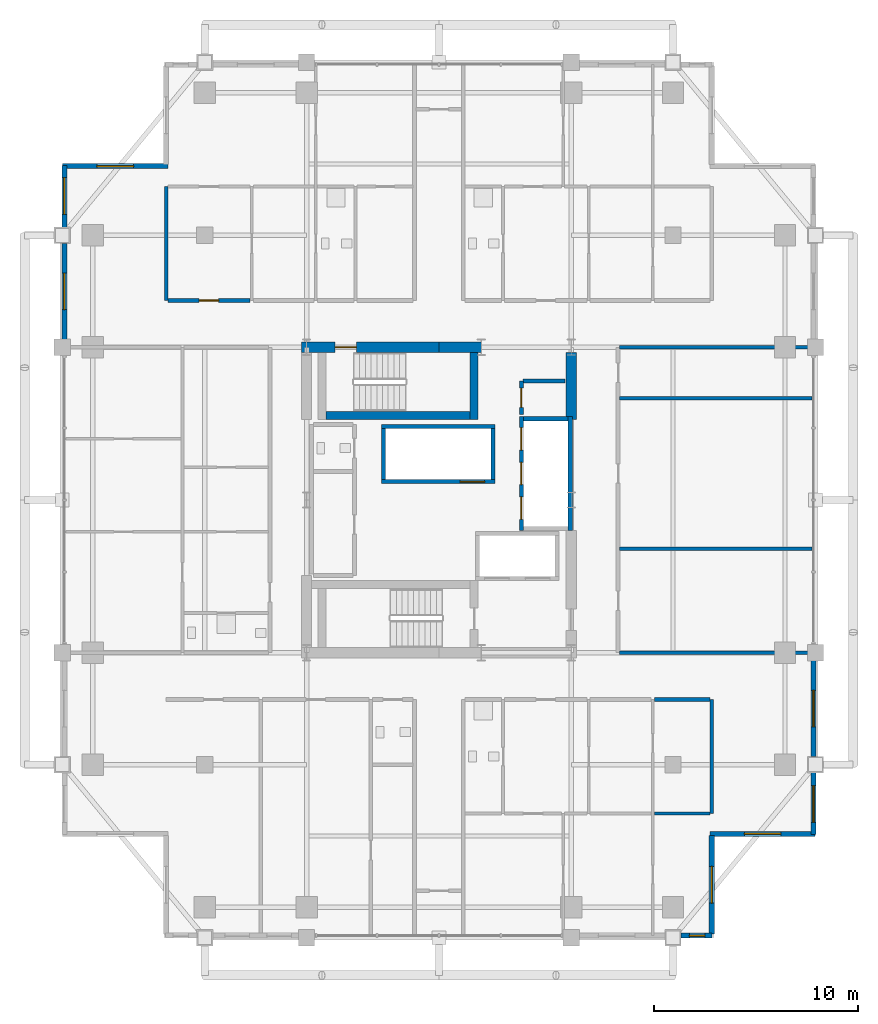
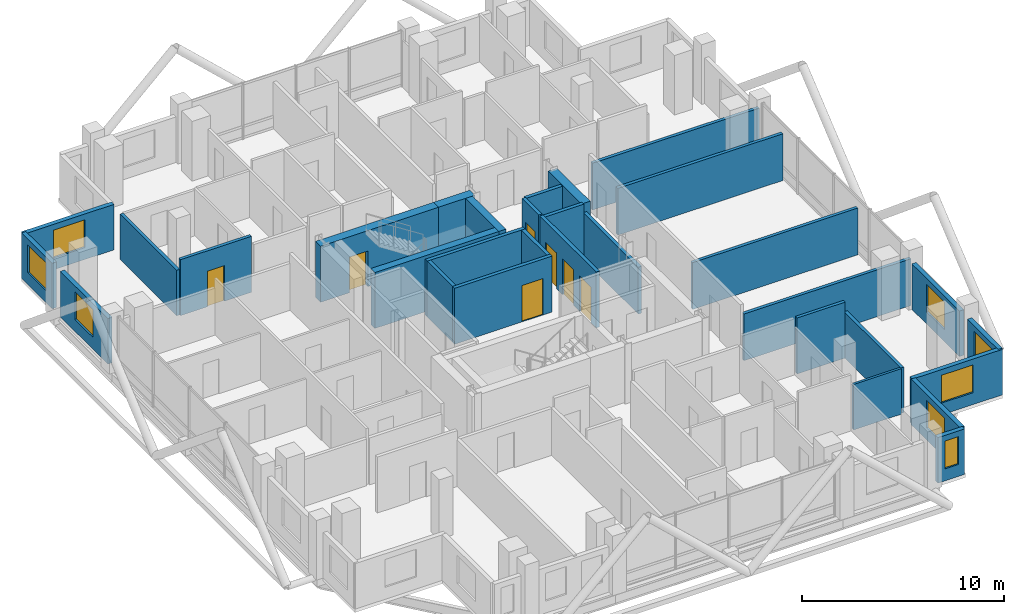
# One storey, part 22 of 26: 31 walls, 8 windows, 7 doors, 15 openings.
"""IFC4 building model written with IfcOpenShell, lengths in metres."""

from ifc_helpers import new_model, si_unit, direction, frame, frame_2d, origin, place, context, subcontext, project, spatial, rectangle, extrude, material, layer, layer_set, type_object, element, fill, save


model = new_model("IFC4")

# Units and contexts
model_context = context("Model", 3, precision=1e-05, world=origin(), true_north=direction((0.0, 1.0)))
body_context = subcontext(model_context, "Body", "Model", "MODEL_VIEW")
ifc_project = project(units=[si_unit("LENGTHUNIT", "METRE"), si_unit("AREAUNIT", "SQUARE_METRE"), si_unit("VOLUMEUNIT", "CUBIC_METRE"), si_unit("PLANEANGLEUNIT", "RADIAN"), si_unit("MASSUNIT", "GRAM", prefix="KILO")], contexts=[model_context])

# Site, building, storey
site_placement = place(None, origin())
site = spatial("IfcSite", under=ifc_project, at=site_placement, CompositionType="ELEMENT")
building_placement = place(site_placement, origin())
building = spatial("IfcBuilding", under=site, at=building_placement, Name="Barlavira Tower and Art Museum", CompositionType="ELEMENT")
storey_placement = place(building_placement, frame((0.0, 0.0, 187.199951171875)))
storey = spatial("IfcBuildingStorey", under=building, at=storey_placement, Name="L48", CompositionType="ELEMENT", Elevation=187.199951171875)

# Wall, opening, door
ifc_material_1 = material(Name="Concrete C60", Category="concrete")
ifc_layer_1 = layer(ifc_material_1, 0.5, Name="Concrete C60")
ifc_layer_set_1 = layer_set([ifc_layer_1], Name="Concrete C60")
wall_type_1 = type_object("IfcWallType", Name="Core Structural Shear Wall 500 Concrete C60", PredefinedType="SHEAR", material=ifc_layer_set_1)
wall_1_placement = place(storey_placement, frame((-6.75, 7.5, 0.0), z_axis=(0.0, 0.0, 1.0), x_axis=(1.0, 0.0, 0.0)))
wall_1 = element("IfcWall", 1, at=wall_1_placement, inside=storey, type_object=wall_type_1, Name="L48 Core Shear Wall CS-NW", PredefinedType="SHEAR", context=body_context, shape_type="SweptSolid", body=[
    extrude(rectangle(XDim=6.75, YDim=0.5, at=frame_2d((3.375, 0.0))), origin(), (0.0, 0.0, 1.0), 3.380126953125),
])
opening_1_placement = place(wall_1_placement, frame((1.64990234375, 0.0, 0.0)))
opening_1 = element("IfcOpeningElement", 2, at=opening_1_placement, cuts=wall_1, Name="Opening FD-90", PredefinedType="OPENING", context=body_context, shape_type="SweptSolid", body=[
    extrude(rectangle(XDim=1.050048828125, YDim=2.14990234375, at=frame_2d((0.52490234375, 1.074951171875))), frame((0.0, 0.260009765625, 0.0), z_axis=(0.0, -1.0, 0.0), x_axis=(1.0, 0.0, 0.0)), (0.0, 0.0, 1.0), 0.52001953125),
])
ifc_material_2 = material(Name="Brushed stainless steel", Category="steel")
door_type_1 = type_object("IfcDoorType", Name="Stair and Refuge Fire Door 1050x2150 FD90S", OperationType="NOTDEFINED", PredefinedType="DOOR", material=ifc_material_2)
door_1_placement = place(opening_1_placement, origin())
door_1 = element("IfcDoor", 3, at=door_1_placement, inside=storey, type_object=door_type_1, Name="L48 Stair ST-T2 Fire Door", OperationType="SINGLE_SWING_LEFT", OverallHeight=2.14990234375, OverallWidth=1.050048828125, PredefinedType="DOOR", context=body_context, shape_type="SweptSolid", body=[
    extrude(rectangle(XDim=1.050048828125, YDim=2.14990234375, at=frame_2d((0.52490234375, 1.074951171875))), frame((0.0, 0.02490234375, 0.0), z_axis=(0.0, -1.0, 0.0), x_axis=(1.0, 0.0, 0.0)), (0.0, 0.0, 1.0), 0.050048828125),
])
fill(opening_1, door_1)

# Walls
wall_2_placement = place(storey_placement, frame((0.0, 7.5, 0.0), z_axis=(0.0, 0.0, 1.0), x_axis=(1.0, 0.0, 0.0)))
element("IfcWall", 4, at=wall_2_placement, inside=storey, type_object=wall_type_1, Name="L48 Core Shear Wall CS-EN", PredefinedType="SHEAR", context=body_context, shape_type="SweptSolid", body=[
    extrude(rectangle(XDim=2.080078125, YDim=0.5, at=frame_2d((1.0400390625, 0.0))), origin(), (0.0, 0.0, 1.0), 3.380126953125),
])
wall_3_placement = place(storey_placement, frame((6.5, 3.949951171875, 0.0), z_axis=(0.0, 0.0, 1.0), x_axis=(0.0, 1.0, 0.0)))
element("IfcWall", 5, at=wall_3_placement, inside=storey, type_object=wall_type_1, Name="L48 Core Shear Wall CS-E2", PredefinedType="SHEAR", context=body_context, shape_type="SweptSolid", body=[
    extrude(rectangle(XDim=3.300048828125, YDim=0.5, at=frame_2d((1.64990234375, 0.0))), origin(), (0.0, 0.0, 1.0), 3.380126953125),
])

# Wall, openings, doors
ifc_material_3 = material(Name="Autoclaved aerated concrete masonry", Category="masonry")
ifc_layer_2 = layer(ifc_material_3, 0.199951171875, Name="Autoclaved aerated concrete masonry")
ifc_layer_set_2 = layer_set([ifc_layer_2], Name="Autoclaved aerated concrete masonry")
wall_type_2 = type_object("IfcWallType", Name="Fire Compartment and Shaft Wall 200", PredefinedType="SOLIDWALL", material=ifc_layer_set_2)
wall_4_placement = place(storey_placement, frame((4.050048828125, -1.489990234375, 0.0), z_axis=(0.0, 0.0, 1.0), x_axis=(0.0, 1.0, 0.0)))
wall_4 = element("IfcWall", 6, at=wall_4_placement, inside=storey, type_object=wall_type_2, Name="L48 Mid-Rise Lift Front Shaft Wall", PredefinedType="SOLIDWALL", context=body_context, shape_type="SweptSolid", body=[
    extrude(rectangle(XDim=5.580078125, YDim=0.199951171875, at=frame_2d((2.7900390625, 0.0))), origin(), (0.0, 0.0, 1.0), 3.380126953125),
])
opening_2_placement = place(wall_4_placement, frame((0.5400390625, 0.0, 0.0)))
opening_2 = element("IfcOpeningElement", 7, at=opening_2_placement, cuts=wall_4, Name="Opening LD-P", PredefinedType="OPENING", context=body_context, shape_type="SweptSolid", body=[
    extrude(rectangle(XDim=1.10009765625, YDim=2.14990234375, at=frame_2d((0.550048828125, 1.074951171875))), frame((0.0, 0.10986328125, 0.0), z_axis=(0.0, -1.0, 0.0), x_axis=(1.0, 0.0, 0.0)), (0.0, 0.0, 1.0), 0.219970703125),
])
opening_3_placement = place(wall_4_placement, frame((2.239990234375, 0.0, 0.0)))
opening_3 = element("IfcOpeningElement", 8, at=opening_3_placement, cuts=wall_4, Name="Opening LD-P", PredefinedType="OPENING", context=body_context, shape_type="SweptSolid", body=[
    extrude(rectangle(XDim=1.10009765625, YDim=2.14990234375, at=frame_2d((0.550048828125, 1.074951171875))), frame((0.0, 0.10986328125, 0.0), z_axis=(0.0, -1.0, 0.0), x_axis=(1.0, 0.0, 0.0)), (0.0, 0.0, 1.0), 0.219970703125),
])
opening_4_placement = place(wall_4_placement, frame((3.93994140625, 0.0, 0.0)))
opening_4 = element("IfcOpeningElement", 9, at=opening_4_placement, cuts=wall_4, Name="Opening LD-P", PredefinedType="OPENING", context=body_context, shape_type="SweptSolid", body=[
    extrude(rectangle(XDim=1.10009765625, YDim=2.14990234375, at=frame_2d((0.550048828125, 1.074951171875))), frame((0.0, 0.10986328125, 0.0), z_axis=(0.0, -1.0, 0.0), x_axis=(1.0, 0.0, 0.0)), (0.0, 0.0, 1.0), 0.219970703125),
])
door_type_2 = type_object("IfcDoorType", Name="Passenger Lift Sliding Landing Door 1100x2150 FD60", OperationType="NOTDEFINED", PredefinedType="DOOR", material=ifc_material_2)
door_2_placement = place(opening_2_placement, origin())
door_2 = element("IfcDoor", 10, at=door_2_placement, inside=storey, type_object=door_type_2, Name="L48 Lift PM1 Sliding Landing Door", OperationType="DOUBLE_DOOR_SLIDING", OverallHeight=2.14990234375, OverallWidth=1.10009765625, PredefinedType="DOOR", context=body_context, shape_type="SweptSolid", body=[
    extrude(rectangle(XDim=1.10009765625, YDim=2.14990234375, at=frame_2d((0.550048828125, 1.074951171875))), frame((0.0, 0.02490234375, 0.0), z_axis=(0.0, -1.0, 0.0), x_axis=(1.0, 0.0, 0.0)), (0.0, 0.0, 1.0), 0.050048828125),
])
fill(opening_2, door_2)
door_3_placement = place(opening_3_placement, origin())
door_3 = element("IfcDoor", 11, at=door_3_placement, inside=storey, type_object=door_type_2, Name="L48 Lift PM2 Sliding Landing Door", OperationType="DOUBLE_DOOR_SLIDING", OverallHeight=2.14990234375, OverallWidth=1.10009765625, PredefinedType="DOOR", context=body_context, shape_type="SweptSolid", body=[
    extrude(rectangle(XDim=1.10009765625, YDim=2.14990234375, at=frame_2d((0.550048828125, 1.074951171875))), frame((0.0, 0.02490234375, 0.0), z_axis=(0.0, -1.0, 0.0), x_axis=(1.0, 0.0, 0.0)), (0.0, 0.0, 1.0), 0.050048828125),
])
fill(opening_3, door_3)
door_4_placement = place(opening_4_placement, origin())
door_4 = element("IfcDoor", 12, at=door_4_placement, inside=storey, type_object=door_type_2, Name="L48 Lift PM3 Sliding Landing Door", OperationType="DOUBLE_DOOR_SLIDING", OverallHeight=2.14990234375, OverallWidth=1.10009765625, PredefinedType="DOOR", context=body_context, shape_type="SweptSolid", body=[
    extrude(rectangle(XDim=1.10009765625, YDim=2.14990234375, at=frame_2d((0.550048828125, 1.074951171875))), frame((0.0, 0.02490234375, 0.0), z_axis=(0.0, -1.0, 0.0), x_axis=(1.0, 0.0, 0.0)), (0.0, 0.0, 1.0), 0.050048828125),
])
fill(opening_4, door_4)

# Walls
wall_5_placement = place(storey_placement, frame((6.449951171875, -1.489990234375, 0.0), z_axis=(0.0, 0.0, 1.0), x_axis=(0.0, 1.0, 0.0)))
element("IfcWall", 13, at=wall_5_placement, inside=storey, type_object=wall_type_2, Name="L48 Mid-Rise Lift Back Shaft Wall", PredefinedType="SOLIDWALL", context=body_context, shape_type="SweptSolid", body=[
    extrude(rectangle(XDim=5.580078125, YDim=0.199951171875, at=frame_2d((2.7900390625, 0.0))), origin(), (0.0, 0.0, 1.0), 2.825927734375),
])
wall_6_placement = place(storey_placement, frame((4.14990234375, 3.989990234375, 0.0), z_axis=(0.0, 0.0, 1.0), x_axis=(1.0, 0.0, 0.0)))
element("IfcWall", 14, at=wall_6_placement, inside=storey, type_object=wall_type_2, Name="L48 Mid-Rise Lift North Shaft Wall", PredefinedType="SOLIDWALL", context=body_context, shape_type="SweptSolid", body=[
    extrude(rectangle(XDim=2.2001953125, YDim=0.199951171875, at=frame_2d((1.10009765625, 0.0))), origin(), (0.0, 0.0, 1.0), 3.380126953125),
])

# Wall, opening, door
wall_7_placement = place(storey_placement, frame((-2.820068359375, 0.89990234375, 0.0), z_axis=(0.0, 0.0, 1.0), x_axis=(1.0, 0.0, 0.0)))
wall_7 = element("IfcWall", 15, at=wall_7_placement, inside=storey, type_object=wall_type_2, Name="L48 High-Rise & Service Lift Front Wall", PredefinedType="SOLIDWALL", context=body_context, shape_type="SweptSolid", body=[
    extrude(rectangle(XDim=5.580078125, YDim=0.199951171875, at=frame_2d((2.7900390625, 0.0))), origin(), (0.0, 0.0, 1.0), 3.380126953125),
])
opening_5_placement = place(wall_7_placement, frame((3.860107421875, 0.0, 0.0)))
opening_5 = element("IfcOpeningElement", 16, at=opening_5_placement, cuts=wall_7, Name="Opening LD-F", PredefinedType="OPENING", context=body_context, shape_type="SweptSolid", body=[
    extrude(rectangle(XDim=1.199951171875, YDim=2.199951171875, at=frame_2d((0.60009765625, 1.10009765625))), frame((0.0, 0.10986328125, 0.0), z_axis=(0.0, -1.0, 0.0), x_axis=(1.0, 0.0, 0.0)), (0.0, 0.0, 1.0), 0.219970703125),
])
door_type_3 = type_object("IfcDoorType", Name="Firefighting and Service Lift Sliding Door 1200x2200 FD120", OperationType="NOTDEFINED", PredefinedType="DOOR", material=ifc_material_2)
door_5_placement = place(opening_5_placement, origin())
door_5 = element("IfcDoor", 17, at=door_5_placement, inside=storey, type_object=door_type_3, Name="L48 Stretcher Service Lift SL1 Sliding Door", OperationType="DOUBLE_DOOR_SLIDING", OverallHeight=2.199951171875, OverallWidth=1.199951171875, PredefinedType="DOOR", context=body_context, shape_type="SweptSolid", body=[
    extrude(rectangle(XDim=1.199951171875, YDim=2.199951171875, at=frame_2d((0.60009765625, 1.10009765625))), frame((0.0, 0.02490234375, 0.0), z_axis=(0.0, -1.0, 0.0), x_axis=(1.0, 0.0, 0.0)), (0.0, 0.0, 1.0), 0.050048828125),
])
fill(opening_5, door_5)

# Walls
wall_8_placement = place(storey_placement, frame((-2.820068359375, 3.60009765625, 0.0), z_axis=(0.0, 0.0, 1.0), x_axis=(1.0, 0.0, 0.0)))
element("IfcWall", 18, at=wall_8_placement, inside=storey, type_object=wall_type_2, Name="L48 High-Rise & Service Lift Back Wall", PredefinedType="SOLIDWALL", context=body_context, shape_type="SweptSolid", body=[
    extrude(rectangle(XDim=5.580078125, YDim=0.199951171875, at=frame_2d((2.7900390625, 0.0))), origin(), (0.0, 0.0, 1.0), 3.380126953125),
])
for number, where, z_axis, x_axis, name in (
    (19, (-2.719970703125, 1.0, 0.0), (0.0, 0.0, 1.0), (0.0, 1.0, 0.0), "L48 High-Rise & Service Lift West Wall"),
    (20, (2.659912109375, 1.0, 0.0), (0.0, 0.0, 1.0), (0.0, 1.0, 0.0), "L48 High-Rise & Service Lift East Wall"),
):
    element("IfcWall", number, at=place(storey_placement, frame(where, z_axis=z_axis, x_axis=x_axis)), inside=storey, type_object=wall_type_2, Name=name, PredefinedType="SOLIDWALL", context=body_context, shape_type="SweptSolid", body=[
        extrude(rectangle(XDim=2.5, YDim=0.199951171875, at=frame_2d((1.25, 0.0))), origin(), (0.0, 0.0, 1.0), 3.380126953125),
    ])

# Wall, opening, door
wall_9_placement = place(storey_placement, frame((4.050048828125, 4.199951171875, 0.0), z_axis=(0.0, 0.0, 1.0), x_axis=(0.0, 1.0, 0.0)))
wall_9 = element("IfcWall", 21, at=wall_9_placement, inside=storey, type_object=wall_type_2, Name="L48 Partition Wall 17", PredefinedType="SOLIDWALL", context=body_context, shape_type="SweptSolid", body=[
    extrude(rectangle(XDim=1.650146484375, YDim=0.199951171875, at=frame_2d((0.8251953125, 0.0))), origin(), (0.0, 0.0, 1.0), 3.380126953125),
])
opening_6_placement = place(wall_9_placement, frame((0.344970703125, 0.0, 0.0)))
opening_6 = element("IfcOpeningElement", 22, at=opening_6_placement, cuts=wall_9, Name="Opening FD-60", PredefinedType="OPENING", context=body_context, shape_type="SweptSolid", body=[
    extrude(rectangle(XDim=0.949951171875, YDim=2.14990234375, at=frame_2d((0.47509765625, 1.074951171875))), frame((0.0, 0.10986328125, 0.0), z_axis=(0.0, -1.0, 0.0), x_axis=(1.0, 0.0, 0.0)), (0.0, 0.0, 1.0), 0.219970703125),
])
door_type_4 = type_object("IfcDoorType", Name="Apartment Entrance and Riser Fire Door 950x2150 FD60S", OperationType="NOTDEFINED", PredefinedType="DOOR", material=ifc_material_2)
door_6_placement = place(opening_6_placement, origin())
door_6 = element("IfcDoor", 23, at=door_6_placement, inside=storey, type_object=door_type_4, Name="Telecom and BMS Distribution Room Door", OperationType="SINGLE_SWING_RIGHT", OverallHeight=2.14990234375, OverallWidth=0.949951171875, PredefinedType="DOOR", context=body_context, shape_type="SweptSolid", body=[
    extrude(rectangle(XDim=0.949951171875, YDim=2.14990234375, at=frame_2d((0.47509765625, 1.074951171875))), frame((0.0, 0.02490234375, 0.0), z_axis=(0.0, -1.0, 0.0), x_axis=(1.0, 0.0, 0.0)), (0.0, 0.0, 1.0), 0.050048828125),
])
fill(opening_6, door_6)

# Walls
wall_10_placement = place(storey_placement, frame((4.1298828125, 5.85009765625, 0.0), z_axis=(0.0, 0.0, 1.0), x_axis=(1.0, 0.0, 0.0)))
element("IfcWall", 24, at=wall_10_placement, inside=storey, type_object=wall_type_2, Name="L48 Partition Wall 54", PredefinedType="SOLIDWALL", context=body_context, shape_type="SweptSolid", body=[
    extrude(rectangle(XDim=2.070068359375, YDim=0.199951171875, at=frame_2d((1.03515625, 0.0))), origin(), (0.0, 0.0, 1.0), 3.380126953125),
])
ifc_material_4 = material(Name="Gypsum acoustic stud partition", Category="gypsum")
ifc_layer_3 = layer(ifc_material_4, 0.179931640625, Name="Gypsum acoustic stud partition")
ifc_layer_set_3 = layer_set([ifc_layer_3], Name="Gypsum acoustic stud partition")
wall_type_3 = type_object("IfcWallType", Name="Inter-Tenancy Party Partition Wall 180", PredefinedType="PARTITIONING", material=ifc_layer_set_3)
for number, where, z_axis, x_axis, name in (
    (25, (-13.39990234375, 9.800048828125, 0.0), (0.0, 0.0, 1.0), (0.0, 1.0, 0.0), "L48 Partition Wall 1"),
    (26, (13.39990234375, -15.39990234375, 0.0), (0.0, 0.0, 1.0), (0.0, 1.0, 0.0), "L48 Partition Wall 25"),
):
    element("IfcWall", number, at=place(storey_placement, frame(where, z_axis=z_axis, x_axis=x_axis)), inside=storey, type_object=wall_type_3, Name=name, PredefinedType="PARTITIONING", context=body_context, shape_type="SweptSolid", body=[
        extrude(rectangle(XDim=5.599853515625, YDim=0.179931640625, at=frame_2d((2.7998046875, 0.0))), origin(), (0.0, 0.0, 1.0), 2.748046875),
    ])
wall_11_placement = place(storey_placement, frame((10.580078125, -9.800048828125, 0.0), z_axis=(0.0, 0.0, 1.0), x_axis=(1.0, 0.0, 0.0)))
element("IfcWall", 27, at=wall_11_placement, inside=storey, type_object=wall_type_3, Name="L48 Partition Wall 40", PredefinedType="PARTITIONING", context=body_context, shape_type="SweptSolid", body=[
    extrude(rectangle(XDim=2.739990234375, YDim=0.179931640625, at=frame_2d((1.3701171875, 0.0))), origin(), (0.0, 0.0, 1.0), 3.380126953125),
])
wall_12_placement = place(storey_placement, frame((8.8798828125, -7.5, 0.0), z_axis=(0.0, 0.0, 1.0), x_axis=(1.0, 0.0, 0.0)))
element("IfcWall", 28, at=wall_12_placement, inside=storey, type_object=wall_type_3, Name="L48 Partition Wall 43", PredefinedType="PARTITIONING", context=body_context, shape_type="SweptSolid", body=[
    extrude(rectangle(XDim=9.52001953125, YDim=0.179931640625, at=frame_2d((4.760009765625, 0.0))), origin(), (0.0, 0.0, 1.0), 2.825927734375),
])
for number, where, z_axis, x_axis, name in (
    (29, (8.8798828125, -2.39990234375, 0.0), (0.0, 0.0, 1.0), (1.0, 0.0, 0.0), "L48 Partition Wall 46"),
    (30, (8.8798828125, 5.0, 0.0), (0.0, 0.0, 1.0), (1.0, 0.0, 0.0), "L48 Partition Wall 53"),
):
    element("IfcWall", number, at=place(storey_placement, frame(where, z_axis=z_axis, x_axis=x_axis)), inside=storey, type_object=wall_type_3, Name=name, PredefinedType="PARTITIONING", context=body_context, shape_type="SweptSolid", body=[
        extrude(rectangle(XDim=9.440185546875, YDim=0.179931640625, at=frame_2d((4.72021484375, 0.0))), origin(), (0.0, 0.0, 1.0), 2.825927734375),
    ])
wall_13_placement = place(storey_placement, frame((8.8798828125, 7.5, 0.0), z_axis=(0.0, 0.0, 1.0), x_axis=(1.0, 0.0, 0.0)))
element("IfcWall", 31, at=wall_13_placement, inside=storey, type_object=wall_type_3, Name="L48 Partition Wall 57", PredefinedType="PARTITIONING", context=body_context, shape_type="SweptSolid", body=[
    extrude(rectangle(XDim=9.52001953125, YDim=0.179931640625, at=frame_2d((4.760009765625, 0.0))), origin(), (0.0, 0.0, 1.0), 2.825927734375),
])

# Wall, opening, door
wall_14_placement = place(storey_placement, frame((-13.320068359375, 9.800048828125, 0.0), z_axis=(0.0, 0.0, 1.0), x_axis=(1.0, 0.0, 0.0)))
wall_14 = element("IfcWall", 32, at=wall_14_placement, inside=storey, type_object=wall_type_3, Name="L48 Partition Wall 58", PredefinedType="PARTITIONING", context=body_context, shape_type="SweptSolid", body=[
    extrude(rectangle(XDim=4.0400390625, YDim=0.179931640625, at=frame_2d((2.02001953125, 0.0))), origin(), (0.0, 0.0, 1.0), 3.380126953125),
])
opening_7_placement = place(wall_14_placement, frame((1.544921875, 0.0, 0.0)))
opening_7 = element("IfcOpeningElement", 33, at=opening_7_placement, cuts=wall_14, Name="Opening FD-60", PredefinedType="OPENING", context=body_context, shape_type="SweptSolid", body=[
    extrude(rectangle(XDim=0.949951171875, YDim=2.14990234375, at=frame_2d((0.47509765625, 1.074951171875))), frame((0.0, 0.10009765625, 0.0), z_axis=(0.0, -1.0, 0.0), x_axis=(1.0, 0.0, 0.0)), (0.0, 0.0, 1.0), 0.199951171875),
])
door_7_placement = place(opening_7_placement, origin())
door_7 = element("IfcDoor", 34, at=door_7_placement, inside=storey, type_object=door_type_4, Name="Apartment Entrance Hall NW1 Door", OperationType="SINGLE_SWING_RIGHT", OverallHeight=2.14990234375, OverallWidth=0.949951171875, PredefinedType="DOOR", context=body_context, shape_type="SweptSolid", body=[
    extrude(rectangle(XDim=0.949951171875, YDim=2.14990234375, at=frame_2d((0.47509765625, 1.074951171875))), frame((0.0, 0.02490234375, 0.0), z_axis=(0.0, -1.0, 0.0), x_axis=(1.0, 0.0, 0.0)), (0.0, 0.0, 1.0), 0.050048828125),
])
fill(opening_7, door_7)

# Wall
ifc_layer_4 = layer(ifc_material_4, 0.139892578125, Name="Gypsum acoustic stud partition")
ifc_layer_set_4 = layer_set([ifc_layer_4], Name="Gypsum acoustic stud partition")
wall_type_4 = type_object("IfcWallType", Name="Moisture-Resistant Bathroom Partition 140", PredefinedType="PARTITIONING", material=ifc_layer_set_4)
wall_15_placement = place(storey_placement, frame((10.580078125, -15.39990234375, 0.0), z_axis=(0.0, 0.0, 1.0), x_axis=(1.0, 0.0, 0.0)))
element("IfcWall", 35, at=wall_15_placement, inside=storey, type_object=wall_type_4, Name="L48 Partition Wall 32", PredefinedType="PARTITIONING", context=body_context, shape_type="SweptSolid", body=[
    extrude(rectangle(XDim=2.739990234375, YDim=0.139892578125, at=frame_2d((1.3701171875, 0.0))), origin(), (0.0, 0.0, 1.0), 2.748046875),
])

# Wall, opening, window
ifc_material_5 = material(Name="Precast concrete C40", Category="concrete")
ifc_layer_5 = layer(ifc_material_5, 0.25, Name="Precast concrete C40")
ifc_layer_set_5 = layer_set([ifc_layer_5], Name="Precast concrete C40")
wall_type_5 = type_object("IfcWallType", Name="Notched Corner Spandrel Wall 250 Precast Concrete C40", PredefinedType="SOLIDWALL", material=ifc_layer_set_5)
wall_16_placement = place(storey_placement, frame((11.89501953125, -21.39990234375, 0.0), z_axis=(0.0, 0.0, 1.0), x_axis=(1.0, 0.0, 0.0)))
wall_16 = element("IfcWall", 36, at=wall_16_placement, inside=storey, type_object=wall_type_5, Name="L48 Coastal Facade Pier Wall CW3-L48-S-5", PredefinedType="SOLIDWALL", context=body_context, shape_type="SweptSolid", body=[
    extrude(rectangle(XDim=1.530029296875, YDim=0.25, at=frame_2d((0.76513671875, 0.0))), origin(), (0.0, 0.0, 1.0), 2.748046875),
])
opening_8_placement = place(wall_16_placement, frame((0.407958984375, 0.0, 0.719970703125)))
opening_8 = element("IfcOpeningElement", 37, at=opening_8_placement, cuts=wall_16, Name="Opening WN-06", PredefinedType="OPENING", context=body_context, shape_type="SweptSolid", body=[
    extrude(rectangle(XDim=0.760009765625, YDim=1.679931640625, at=frame_2d((0.3798828125, 0.83984375))), frame((0.0, 0.135009765625, 0.0), z_axis=(0.0, -1.0, 0.0), x_axis=(1.0, 0.0, 0.0)), (0.0, 0.0, 1.0), 0.27001953125),
])
ifc_material_6 = material(Name="Low-iron coastal laminated glass", Category="glass")
window_type_1 = type_object("IfcWindowType", Name="Recessed Narrow Pier Window 760x1680", PartitioningType="SINGLE_PANEL", PredefinedType="WINDOW", material=ifc_material_6)
window_1_placement = place(opening_8_placement, origin())
window_1 = element("IfcWindow", 38, at=window_1_placement, inside=storey, type_object=window_type_1, Name="L48 Punched Facade Window EWP-CW3-L48-S-5-1", OverallHeight=1.679931640625, OverallWidth=0.760009765625, PartitioningType="SINGLE_PANEL", PredefinedType="WINDOW", context=body_context, shape_type="SweptSolid", body=[
    extrude(rectangle(XDim=0.760009765625, YDim=1.679931640625, at=frame_2d((0.3798828125, 0.83984375))), frame((0.0, 0.030029296875, 0.0), z_axis=(0.0, -1.0, 0.0), x_axis=(1.0, 0.0, 0.0)), (0.0, 0.0, 1.0), 0.06005859375),
])
fill(opening_8, window_1)

wall_17_placement = place(storey_placement, frame((-18.39990234375, 16.425048828125, 0.0), z_axis=(0.0, 0.0, 1.0), x_axis=(0.0, -1.0, 0.0)))
wall_17 = element("IfcWall", 39, at=wall_17_placement, inside=storey, type_object=wall_type_5, Name="L48 Coastal Facade Pier Wall CW3-L48-W-1", PredefinedType="SOLIDWALL", context=body_context, shape_type="SweptSolid", body=[
    extrude(rectangle(XDim=3.030029296875, YDim=0.25, at=frame_2d((1.51513671875, 0.0))), origin(), (0.0, 0.0, 1.0), 2.748046875),
])
opening_9_placement = place(wall_17_placement, frame((0.593017578125, 0.0, 0.719970703125)))
opening_9 = element("IfcOpeningElement", 40, at=opening_9_placement, cuts=wall_17, Name="Opening WN-01", PredefinedType="OPENING", context=body_context, shape_type="SweptSolid", body=[
    extrude(rectangle(XDim=1.800048828125, YDim=1.679931640625, at=frame_2d((0.89990234375, 0.83984375))), frame((0.0, 0.135009765625, 0.0), z_axis=(0.0, -1.0, 0.0), x_axis=(1.0, 0.0, 0.0)), (0.0, 0.0, 1.0), 0.27001953125),
])
window_type_2 = type_object("IfcWindowType", Name="Recessed Notch Corner Punch Window 1800x1680", PartitioningType="SINGLE_PANEL", PredefinedType="WINDOW", material=ifc_material_6)
window_2_placement = place(opening_9_placement, origin())
window_2 = element("IfcWindow", 41, at=window_2_placement, inside=storey, type_object=window_type_2, Name="L48 Punched Facade Window EWP-CW3-L48-W-1-1", OverallHeight=1.679931640625, OverallWidth=1.800048828125, PartitioningType="SINGLE_PANEL", PredefinedType="WINDOW", context=body_context, shape_type="SweptSolid", body=[
    extrude(rectangle(XDim=1.800048828125, YDim=1.679931640625, at=frame_2d((0.89990234375, 0.83984375))), frame((0.0, 0.030029296875, 0.0), z_axis=(0.0, -1.0, 0.0), x_axis=(1.0, 0.0, 0.0)), (0.0, 0.0, 1.0), 0.06005859375),
])
fill(opening_9, window_2)

wall_18_placement = place(storey_placement, frame((-18.39990234375, 12.60498046875, 0.0), z_axis=(0.0, 0.0, 1.0), x_axis=(0.0, -1.0, 0.0)))
wall_18 = element("IfcWall", 42, at=wall_18_placement, inside=storey, type_object=wall_type_5, Name="L48 Coastal Facade Pier Wall CW3-L48-W-2", PredefinedType="SOLIDWALL", context=body_context, shape_type="SweptSolid", body=[
    extrude(rectangle(XDim=4.7099609375, YDim=0.25, at=frame_2d((2.35498046875, 0.0))), origin(), (0.0, 0.0, 1.0), 2.748046875),
])
opening_10_placement = place(wall_18_placement, frame((1.455078125, 0.0, 0.719970703125)))
opening_10 = element("IfcOpeningElement", 43, at=opening_10_placement, cuts=wall_18, Name="Opening WN-01", PredefinedType="OPENING", context=body_context, shape_type="SweptSolid", body=[
    extrude(rectangle(XDim=1.800048828125, YDim=1.679931640625, at=frame_2d((0.89990234375, 0.83984375))), frame((0.0, 0.135009765625, 0.0), z_axis=(0.0, -1.0, 0.0), x_axis=(1.0, 0.0, 0.0)), (0.0, 0.0, 1.0), 0.27001953125),
])
window_3_placement = place(opening_10_placement, origin())
window_3 = element("IfcWindow", 44, at=window_3_placement, inside=storey, type_object=window_type_2, Name="L48 Punched Facade Window EWP-CW3-L48-W-2-1", OverallHeight=1.679931640625, OverallWidth=1.800048828125, PartitioningType="SINGLE_PANEL", PredefinedType="WINDOW", context=body_context, shape_type="SweptSolid", body=[
    extrude(rectangle(XDim=1.800048828125, YDim=1.679931640625, at=frame_2d((0.89990234375, 0.83984375))), frame((0.0, 0.030029296875, 0.0), z_axis=(0.0, -1.0, 0.0), x_axis=(1.0, 0.0, 0.0)), (0.0, 0.0, 1.0), 0.06005859375),
])
fill(opening_10, window_3)

wall_19_placement = place(storey_placement, frame((18.39990234375, -16.425048828125, 0.0), z_axis=(0.0, 0.0, 1.0), x_axis=(0.0, 1.0, 0.0)))
wall_19 = element("IfcWall", 45, at=wall_19_placement, inside=storey, type_object=wall_type_5, Name="L48 Coastal Facade Pier Wall CW3-L48-E-1", PredefinedType="SOLIDWALL", context=body_context, shape_type="SweptSolid", body=[
    extrude(rectangle(XDim=3.030029296875, YDim=0.25, at=frame_2d((1.51513671875, 0.0))), origin(), (0.0, 0.0, 1.0), 2.748046875),
])
opening_11_placement = place(wall_19_placement, frame((0.593017578125, 0.0, 0.719970703125)))
opening_11 = element("IfcOpeningElement", 46, at=opening_11_placement, cuts=wall_19, Name="Opening WN-01", PredefinedType="OPENING", context=body_context, shape_type="SweptSolid", body=[
    extrude(rectangle(XDim=1.800048828125, YDim=1.679931640625, at=frame_2d((0.89990234375, 0.83984375))), frame((0.0, 0.135009765625, 0.0), z_axis=(0.0, -1.0, 0.0), x_axis=(1.0, 0.0, 0.0)), (0.0, 0.0, 1.0), 0.27001953125),
])
window_4_placement = place(opening_11_placement, origin())
window_4 = element("IfcWindow", 47, at=window_4_placement, inside=storey, type_object=window_type_2, Name="L48 Punched Facade Window EWP-CW3-L48-E-1-1", OverallHeight=1.679931640625, OverallWidth=1.800048828125, PartitioningType="SINGLE_PANEL", PredefinedType="WINDOW", context=body_context, shape_type="SweptSolid", body=[
    extrude(rectangle(XDim=1.800048828125, YDim=1.679931640625, at=frame_2d((0.89990234375, 0.83984375))), frame((0.0, 0.030029296875, 0.0), z_axis=(0.0, -1.0, 0.0), x_axis=(1.0, 0.0, 0.0)), (0.0, 0.0, 1.0), 0.06005859375),
])
fill(opening_11, window_4)

wall_20_placement = place(storey_placement, frame((18.39990234375, -12.60498046875, 0.0), z_axis=(0.0, 0.0, 1.0), x_axis=(0.0, 1.0, 0.0)))
wall_20 = element("IfcWall", 48, at=wall_20_placement, inside=storey, type_object=wall_type_5, Name="L48 Coastal Facade Pier Wall CW3-L48-E-2", PredefinedType="SOLIDWALL", context=body_context, shape_type="SweptSolid", body=[
    extrude(rectangle(XDim=4.7099609375, YDim=0.25, at=frame_2d((2.35498046875, 0.0))), origin(), (0.0, 0.0, 1.0), 2.748046875),
])
opening_12_placement = place(wall_20_placement, frame((1.455078125, 0.0, 0.719970703125)))
opening_12 = element("IfcOpeningElement", 49, at=opening_12_placement, cuts=wall_20, Name="Opening WN-01", PredefinedType="OPENING", context=body_context, shape_type="SweptSolid", body=[
    extrude(rectangle(XDim=1.800048828125, YDim=1.679931640625, at=frame_2d((0.89990234375, 0.83984375))), frame((0.0, 0.135009765625, 0.0), z_axis=(0.0, -1.0, 0.0), x_axis=(1.0, 0.0, 0.0)), (0.0, 0.0, 1.0), 0.27001953125),
])
window_5_placement = place(opening_12_placement, origin())
window_5 = element("IfcWindow", 50, at=window_5_placement, inside=storey, type_object=window_type_2, Name="L48 Punched Facade Window EWP-CW3-L48-E-2-1", OverallHeight=1.679931640625, OverallWidth=1.800048828125, PartitioningType="SINGLE_PANEL", PredefinedType="WINDOW", context=body_context, shape_type="SweptSolid", body=[
    extrude(rectangle(XDim=1.800048828125, YDim=1.679931640625, at=frame_2d((0.89990234375, 0.83984375))), frame((0.0, 0.030029296875, 0.0), z_axis=(0.0, -1.0, 0.0), x_axis=(1.0, 0.0, 0.0)), (0.0, 0.0, 1.0), 0.06005859375),
])
fill(opening_12, window_5)

wall_21_placement = place(storey_placement, frame((13.39990234375, -21.320068359375, 0.0), z_axis=(0.0, 0.0, 1.0), x_axis=(0.0, 1.0, 0.0)))
wall_21 = element("IfcWall", 51, at=wall_21_placement, inside=storey, type_object=wall_type_5, Name="L48 Notch Corner Wall SE1", PredefinedType="SOLIDWALL", context=body_context, shape_type="SweptSolid", body=[
    extrude(rectangle(XDim=4.840087890625, YDim=0.25, at=frame_2d((2.419921875, 0.0))), origin(), (0.0, 0.0, 1.0), 2.748046875),
])
opening_13_placement = place(wall_21_placement, frame((1.52001953125, 0.0, 0.719970703125)))
opening_13 = element("IfcOpeningElement", 52, at=opening_13_placement, cuts=wall_21, Name="Opening WN-01", PredefinedType="OPENING", context=body_context, shape_type="SweptSolid", body=[
    extrude(rectangle(XDim=1.800048828125, YDim=1.679931640625, at=frame_2d((0.89990234375, 0.83984375))), frame((0.0, 0.135009765625, 0.0), z_axis=(0.0, -1.0, 0.0), x_axis=(1.0, 0.0, 0.0)), (0.0, 0.0, 1.0), 0.27001953125),
])
window_6_placement = place(opening_13_placement, origin())
window_6 = element("IfcWindow", 53, at=window_6_placement, inside=storey, type_object=window_type_2, Name="L48 Punched Facade Window EW-NTC-L48-SE1-1", OverallHeight=1.679931640625, OverallWidth=1.800048828125, PartitioningType="SINGLE_PANEL", PredefinedType="WINDOW", context=body_context, shape_type="SweptSolid", body=[
    extrude(rectangle(XDim=1.800048828125, YDim=1.679931640625, at=frame_2d((0.89990234375, 0.83984375))), frame((0.0, 0.030029296875, 0.0), z_axis=(0.0, -1.0, 0.0), x_axis=(1.0, 0.0, 0.0)), (0.0, 0.0, 1.0), 0.06005859375),
])
fill(opening_13, window_6)

wall_22_placement = place(storey_placement, frame((13.320068359375, -16.39990234375, 0.0), z_axis=(0.0, 0.0, 1.0), x_axis=(1.0, 0.0, 0.0)))
wall_22 = element("IfcWall", 54, at=wall_22_placement, inside=storey, type_object=wall_type_5, Name="L48 Notch Corner Wall SE2", PredefinedType="SOLIDWALL", context=body_context, shape_type="SweptSolid", body=[
    extrude(rectangle(XDim=5.159912109375, YDim=0.25, at=frame_2d((2.580078125, 0.0))), origin(), (0.0, 0.0, 1.0), 2.748046875),
])
opening_14_placement = place(wall_22_placement, frame((1.679931640625, 0.0, 0.719970703125)))
opening_14 = element("IfcOpeningElement", 55, at=opening_14_placement, cuts=wall_22, Name="Opening WN-01", PredefinedType="OPENING", context=body_context, shape_type="SweptSolid", body=[
    extrude(rectangle(XDim=1.800048828125, YDim=1.679931640625, at=frame_2d((0.89990234375, 0.83984375))), frame((0.0, 0.135009765625, 0.0), z_axis=(0.0, -1.0, 0.0), x_axis=(1.0, 0.0, 0.0)), (0.0, 0.0, 1.0), 0.27001953125),
])
window_7_placement = place(opening_14_placement, origin())
window_7 = element("IfcWindow", 56, at=window_7_placement, inside=storey, type_object=window_type_2, Name="L48 Punched Facade Window EW-NTC-L48-SE2-1", OverallHeight=1.679931640625, OverallWidth=1.800048828125, PartitioningType="SINGLE_PANEL", PredefinedType="WINDOW", context=body_context, shape_type="SweptSolid", body=[
    extrude(rectangle(XDim=1.800048828125, YDim=1.679931640625, at=frame_2d((0.89990234375, 0.83984375))), frame((0.0, 0.030029296875, 0.0), z_axis=(0.0, -1.0, 0.0), x_axis=(1.0, 0.0, 0.0)), (0.0, 0.0, 1.0), 0.06005859375),
])
fill(opening_14, window_7)

wall_23_placement = place(storey_placement, frame((-13.320068359375, 16.39990234375, 0.0), z_axis=(0.0, 0.0, 1.0), x_axis=(-1.0, 0.0, 0.0)))
wall_23 = element("IfcWall", 57, at=wall_23_placement, inside=storey, type_object=wall_type_5, Name="L48 Notch Corner Wall NW2", PredefinedType="SOLIDWALL", context=body_context, shape_type="SweptSolid", body=[
    extrude(rectangle(XDim=5.159912109375, YDim=0.25, at=frame_2d((2.580078125, 0.0))), origin(), (0.0, 0.0, 1.0), 2.748046875),
])
opening_15_placement = place(wall_23_placement, frame((1.679931640625, 0.0, 0.719970703125)))
opening_15 = element("IfcOpeningElement", 58, at=opening_15_placement, cuts=wall_23, Name="Opening WN-01", PredefinedType="OPENING", context=body_context, shape_type="SweptSolid", body=[
    extrude(rectangle(XDim=1.800048828125, YDim=1.679931640625, at=frame_2d((0.89990234375, 0.83984375))), frame((0.0, 0.135009765625, 0.0), z_axis=(0.0, -1.0, 0.0), x_axis=(1.0, 0.0, 0.0)), (0.0, 0.0, 1.0), 0.27001953125),
])
window_8_placement = place(opening_15_placement, origin())
window_8 = element("IfcWindow", 59, at=window_8_placement, inside=storey, type_object=window_type_2, Name="L48 Punched Facade Window EW-NTC-L48-NW2-1", OverallHeight=1.679931640625, OverallWidth=1.800048828125, PartitioningType="SINGLE_PANEL", PredefinedType="WINDOW", context=body_context, shape_type="SweptSolid", body=[
    extrude(rectangle(XDim=1.800048828125, YDim=1.679931640625, at=frame_2d((0.89990234375, 0.83984375))), frame((0.0, 0.030029296875, 0.0), z_axis=(0.0, -1.0, 0.0), x_axis=(1.0, 0.0, 0.0)), (0.0, 0.0, 1.0), 0.06005859375),
])
fill(opening_15, window_8)

# Walls
ifc_material_7 = material(Name="Concrete C55", Category="concrete")
ifc_layer_6 = layer(ifc_material_7, 0.39990234375, Name="Concrete C55")
ifc_layer_set_6 = layer_set([ifc_layer_6], Name="Concrete C55")
wall_type_6 = type_object("IfcWallType", Name="Upper Core Shear Wall 400 Concrete C55", PredefinedType="SHEAR", material=ifc_layer_set_6)
wall_24_placement = place(storey_placement, frame((-5.550048828125, 4.14990234375, 0.0), z_axis=(0.0, 0.0, 1.0), x_axis=(1.0, 0.0, 0.0)))
element("IfcWall", 60, at=wall_24_placement, inside=storey, type_object=wall_type_6, Name="L48 ST-T2 South Shaft Wall", PredefinedType="SHEAR", context=body_context, shape_type="SweptSolid", body=[
    extrude(rectangle(XDim=7.080078125, YDim=0.39990234375, at=frame_2d((3.5400390625, 0.0))), origin(), (0.0, 0.0, 1.0), 3.380126953125),
])
wall_25_placement = place(storey_placement, frame((1.72998046875, 3.949951171875, 0.0), z_axis=(0.0, 0.0, 1.0), x_axis=(0.0, 1.0, 0.0)))
element("IfcWall", 61, at=wall_25_placement, inside=storey, type_object=wall_type_6, Name="L48 ST-T2 East Half-Landing Wall", PredefinedType="SHEAR", context=body_context, shape_type="SweptSolid", body=[
    extrude(rectangle(XDim=3.300048828125, YDim=0.39990234375, at=frame_2d((1.64990234375, 0.0))), origin(), (0.0, 0.0, 1.0), 3.380126953125),
])

save(model, "model.ifc")
